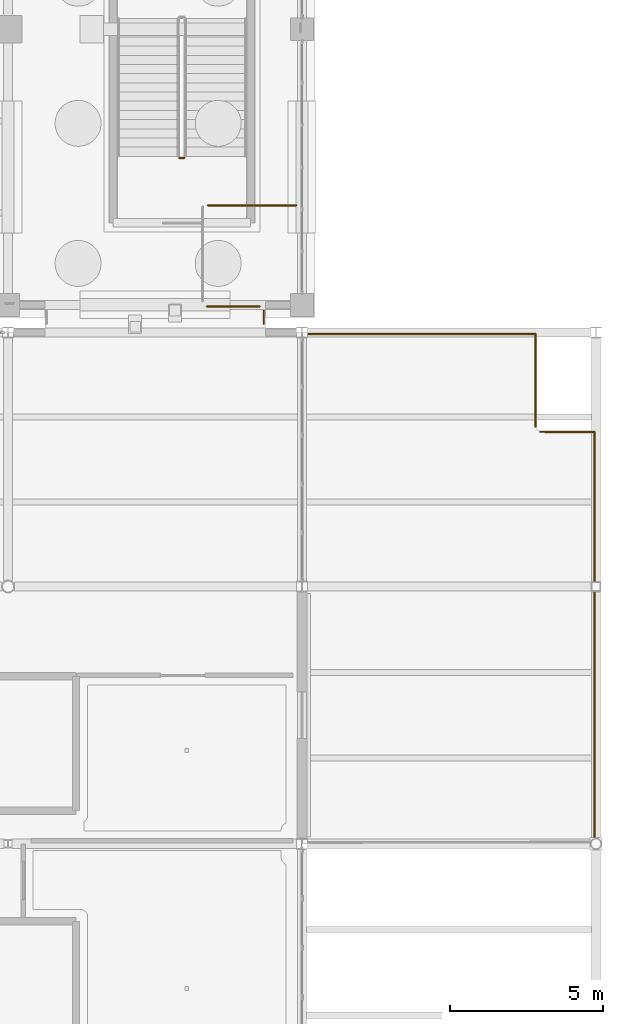
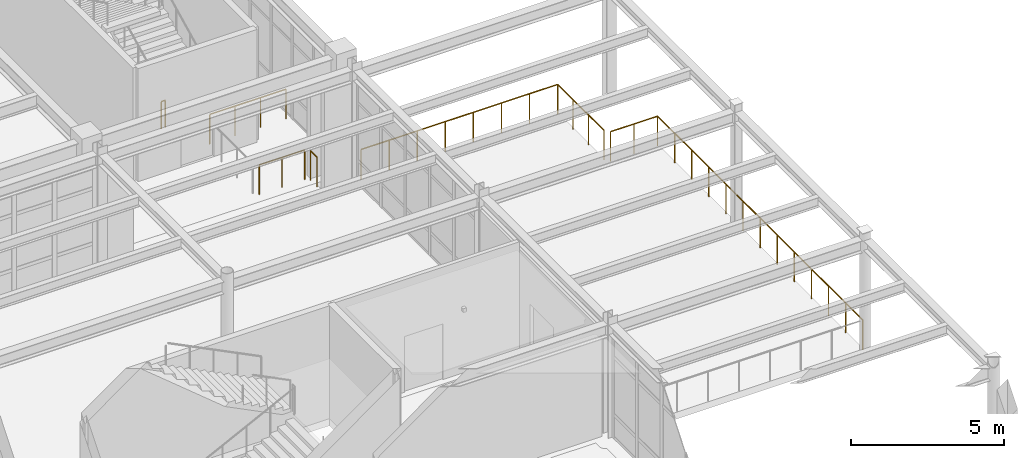
# One storey, part 129 of 139: 8 railings.
"""IFC4 building model written with IfcOpenShell, lengths in metres."""

from ifc_helpers import new_model, si_unit, direction, frame, origin, origin_2d, place, context, subcontext, project, spatial, circle, extrude, material, type_object, element, save


model = new_model("IFC4")

# Units and contexts
model_context = context("Model", 3, precision=1e-05, world=origin(), true_north=direction((0.0, 1.0)))
body_context = subcontext(model_context, "Body", "Model", "MODEL_VIEW")
ifc_project = project(units=[si_unit("LENGTHUNIT", "METRE"), si_unit("AREAUNIT", "SQUARE_METRE"), si_unit("VOLUMEUNIT", "CUBIC_METRE"), si_unit("PLANEANGLEUNIT", "RADIAN"), si_unit("MASSUNIT", "GRAM", prefix="KILO")], contexts=[model_context])

# Site, building, storey
site_placement = place(None, origin())
site = spatial("IfcSite", under=ifc_project, at=site_placement, CompositionType="ELEMENT")
building_placement = place(site_placement, origin())
building = spatial("IfcBuilding", under=site, at=building_placement, Name="Canglan Escarpment Cableway Terminal", CompositionType="ELEMENT")
storey_placement = place(building_placement, frame((0.0, 0.0, 14.39990234375)))
storey = spatial("IfcBuildingStorey", under=building, at=storey_placement, Name="L03", CompositionType="ELEMENT", Elevation=14.39990234375)

# Railings
ifc_material_1 = material(Name="Carved limestone and anodized bronze balustrade", Category="masonry")
railing_type_1 = type_object("IfcRailingType", Name="RL-EXT-BALUSTRADE-1200", PredefinedType="BALUSTRADE", material=ifc_material_1)
railing_1_placement = place(storey_placement, frame((166.2099609375, 37.25, 0.0)))
element("IfcRailing", 1, at=railing_1_placement, inside=storey, type_object=railing_type_1, Name="Classical terrace balustrade guard GD-01 (L03)", PredefinedType="BALUSTRADE", context=body_context, shape_type="SweptSolid", body=[
    extrude(circle(Radius=0.02392578125, at=origin_2d()), frame((0.0, 0.0, 1.17578125), z_axis=(-1.0, 0.0, 0.0), x_axis=(0.0, -1.0, 0.0)), (0.0, 0.0, 1.0), 2.8798828125),
    extrude(circle(Radius=0.02099609375, at=origin_2d()), origin(), (0.0, 0.0, 1.0), 1.15185546875),
    extrude(circle(Radius=0.02099609375, at=origin_2d()), frame((-0.9599609375, 0.0, 0.0)), (0.0, 0.0, 1.0), 1.15185546875),
    extrude(circle(Radius=0.02099609375, at=origin_2d()), frame((-1.919921875, 0.0, 0.0)), (0.0, 0.0, 1.0), 1.15185546875),
    extrude(circle(Radius=0.02099609375, at=origin_2d()), frame((-2.8798828125, 0.0, 0.0)), (0.0, 0.0, 1.0), 1.15185546875),
])
railing_2_placement = place(storey_placement, frame((163.29931640625, 33.951171875, 0.0)))
element("IfcRailing", 2, at=railing_2_placement, inside=storey, type_object=railing_type_1, Name="Classical terrace balustrade guard GD-01 (L03)", PredefinedType="BALUSTRADE", context=body_context, shape_type="SweptSolid", body=[
    extrude(circle(Radius=0.02392578125, at=origin_2d()), frame((0.0, 0.0, 1.17578125), z_axis=(0.999993637062, -0.003567328899, 0.0), x_axis=(0.003567328899, 0.999993637062, 0.0)), (0.0, 0.0, 1.0), 1.7109375),
    extrude(circle(Radius=0.02099609375, at=origin_2d()), origin(), (0.0, 0.0, 1.0), 1.15185546875),
    extrude(circle(Radius=0.02099609375, at=origin_2d()), frame((0.85546875, -0.0029296875, 0.0)), (0.0, 0.0, 1.0), 1.15185546875),
    extrude(circle(Radius=0.02099609375, at=origin_2d()), frame((1.7109375, -0.006103515625, 0.0)), (0.0, 0.0, 1.0), 1.15185546875),
])
railing_3_placement = place(storey_placement, frame((165.14990234375, 33.81005859375, 0.0)))
element("IfcRailing", 3, at=railing_3_placement, inside=storey, type_object=railing_type_1, Name="Classical terrace balustrade guard GD-01 (L03)", PredefinedType="BALUSTRADE", context=body_context, shape_type="SweptSolid", body=[
    extrude(circle(Radius=0.02392578125, at=origin_2d()), frame((0.0, 0.0, 1.17578125), z_axis=(0.0, -1.0, 0.0), x_axis=(1.0, 0.0, 0.0)), (0.0, 0.0, 1.0), 0.420166015625),
    extrude(circle(Radius=0.02099609375, at=origin_2d()), origin(), (0.0, 0.0, 1.0), 1.15185546875),
    extrude(circle(Radius=0.02099609375, at=origin_2d()), frame((0.0, -0.420166015625, 0.0)), (0.0, 0.0, 1.0), 1.15185546875),
])
railing_4_placement = place(storey_placement, frame((166.614013671875, 33.050048828125, 0.0)))
element("IfcRailing", 4, at=railing_4_placement, inside=storey, type_object=railing_type_1, Name="Classical terrace balustrade guard GD-01 (L03)", PredefinedType="BALUSTRADE", context=body_context, shape_type="SweptSolid", body=[
    extrude(circle(Radius=0.02392578125, at=origin_2d()), frame((0.0, 0.0, 1.17578125), z_axis=(1.0, 0.0, 0.0), x_axis=(0.0, 1.0, 0.0)), (0.0, 0.0, 1.0), 7.4140625),
    extrude(circle(Radius=0.02099609375, at=origin_2d()), origin(), (0.0, 0.0, 1.0), 1.15185546875),
    extrude(circle(Radius=0.02099609375, at=origin_2d()), frame((1.05908203125, 0.0, 0.0)), (0.0, 0.0, 1.0), 1.15185546875),
    extrude(circle(Radius=0.02099609375, at=origin_2d()), frame((2.118408203125, 0.0, 0.0)), (0.0, 0.0, 1.0), 1.15185546875),
    extrude(circle(Radius=0.02099609375, at=origin_2d()), frame((3.177490234375, 0.0, 0.0)), (0.0, 0.0, 1.0), 1.15185546875),
    extrude(circle(Radius=0.02099609375, at=origin_2d()), frame((4.236572265625, 0.0, 0.0)), (0.0, 0.0, 1.0), 1.15185546875),
    extrude(circle(Radius=0.02099609375, at=origin_2d()), frame((5.295654296875, 0.0, 0.0)), (0.0, 0.0, 1.0), 1.15185546875),
    extrude(circle(Radius=0.02099609375, at=origin_2d()), frame((6.35498046875, 0.0, 0.0)), (0.0, 0.0, 1.0), 1.15185546875),
    extrude(circle(Radius=0.02099609375, at=origin_2d()), frame((7.4140625, 0.0, 0.0)), (0.0, 0.0, 1.0), 1.15185546875),
])
railing_5_placement = place(storey_placement, frame((174.028076171875, 33.050048828125, 0.0)))
element("IfcRailing", 5, at=railing_5_placement, inside=storey, type_object=railing_type_1, Name="Classical terrace balustrade guard GD-01 (L03)", PredefinedType="BALUSTRADE", context=body_context, shape_type="SweptSolid", body=[
    extrude(circle(Radius=0.02392578125, at=origin_2d()), frame((0.0, 0.0, 1.17578125), z_axis=(0.000646725815, -0.999999790873, 0.0), x_axis=(0.999999790873, 0.000646725815, 0.0)), (0.0, 0.0, 1.0), 3.02001953125),
    extrude(circle(Radius=0.02099609375, at=origin_2d()), origin(), (0.0, 0.0, 1.0), 1.15185546875),
    extrude(circle(Radius=0.02099609375, at=origin_2d()), frame((0.000732421875, -1.006591796875, 0.0)), (0.0, 0.0, 1.0), 1.15185546875),
    extrude(circle(Radius=0.02099609375, at=origin_2d()), frame((0.001220703125, -2.013427734375, 0.0)), (0.0, 0.0, 1.0), 1.15185546875),
    extrude(circle(Radius=0.02099609375, at=origin_2d()), frame((0.001953125, -3.02001953125, 0.0)), (0.0, 0.0, 1.0), 1.15185546875),
])
railing_6_placement = place(storey_placement, frame((174.179443359375, 29.856201171875, 0.0)))
element("IfcRailing", 6, at=railing_6_placement, inside=storey, type_object=railing_type_1, Name="Classical terrace balustrade guard GD-01 (L03)", PredefinedType="BALUSTRADE", context=body_context, shape_type="SweptSolid", body=[
    extrude(circle(Radius=0.02392578125, at=origin_2d()), frame((0.0, 0.0, 1.17578125), z_axis=(0.999994044897, -0.003451111419, 0.0), x_axis=(0.003451111419, 0.999994044897, 0.0)), (0.0, 0.0, 1.0), 1.7685546875),
    extrude(circle(Radius=0.02099609375, at=origin_2d()), origin(), (0.0, 0.0, 1.0), 1.15185546875),
    extrude(circle(Radius=0.02099609375, at=origin_2d()), frame((0.88427734375, -0.0029296875, 0.0)), (0.0, 0.0, 1.0), 1.15185546875),
    extrude(circle(Radius=0.02099609375, at=origin_2d()), frame((1.7685546875, -0.006103515625, 0.0)), (0.0, 0.0, 1.0), 1.15185546875),
])
railing_7_placement = place(storey_placement, frame((175.947998046875, 29.85009765625, 0.0)))
element("IfcRailing", 7, at=railing_7_placement, inside=storey, type_object=railing_type_1, Name="Classical terrace balustrade guard GD-01 (L03)", PredefinedType="BALUSTRADE", context=body_context, shape_type="SweptSolid", body=[
    extrude(circle(Radius=0.02392578125, at=origin_2d()), frame((0.0, 0.0, 1.17578125), z_axis=(0.000145775249, -0.999999989375, 0.0), x_axis=(0.999999989375, 0.000145775249, 0.0)), (0.0, 0.0, 1.0), 13.398193359375),
    extrude(circle(Radius=0.02099609375, at=origin_2d()), origin(), (0.0, 0.0, 1.0), 1.15185546875),
    extrude(circle(Radius=0.02099609375, at=origin_2d()), frame((0.000244140625, -1.116455078125, 0.0)), (0.0, 0.0, 1.0), 1.15185546875),
    extrude(circle(Radius=0.02099609375, at=origin_2d()), frame((0.000244140625, -2.23291015625, 0.0)), (0.0, 0.0, 1.0), 1.15185546875),
    extrude(circle(Radius=0.02099609375, at=origin_2d()), frame((0.00048828125, -3.349609375, 0.0)), (0.0, 0.0, 1.0), 1.15185546875),
    extrude(circle(Radius=0.02099609375, at=origin_2d()), frame((0.000732421875, -4.466064453125, 0.0)), (0.0, 0.0, 1.0), 1.15185546875),
    extrude(circle(Radius=0.02099609375, at=origin_2d()), frame((0.000732421875, -5.58251953125, 0.0)), (0.0, 0.0, 1.0), 1.15185546875),
    extrude(circle(Radius=0.02099609375, at=origin_2d()), frame((0.0009765625, -6.69921875, 0.0)), (0.0, 0.0, 1.0), 1.15185546875),
    extrude(circle(Radius=0.02099609375, at=origin_2d()), frame((0.001220703125, -7.815673828125, 0.0)), (0.0, 0.0, 1.0), 1.15185546875),
    extrude(circle(Radius=0.02099609375, at=origin_2d()), frame((0.001220703125, -8.93212890625, 0.0)), (0.0, 0.0, 1.0), 1.15185546875),
    extrude(circle(Radius=0.02099609375, at=origin_2d()), frame((0.00146484375, -10.048583984375, 0.0)), (0.0, 0.0, 1.0), 1.15185546875),
    extrude(circle(Radius=0.02099609375, at=origin_2d()), frame((0.001708984375, -11.1650390625, 0.0)), (0.0, 0.0, 1.0), 1.15185546875),
    extrude(circle(Radius=0.02099609375, at=origin_2d()), frame((0.001708984375, -12.28173828125, 0.0)), (0.0, 0.0, 1.0), 1.15185546875),
    extrude(circle(Radius=0.02099609375, at=origin_2d()), frame((0.001953125, -13.398193359375, 0.0)), (0.0, 0.0, 1.0), 1.15185546875),
])
ifc_material_2 = material(Name="Powder-coated steel stair balustrade", Category="steel")
railing_type_2 = type_object("IfcRailingType", Name="RL-STR-GUARD-1100", PredefinedType="BALUSTRADE", material=ifc_material_2)
railing_8_placement = place(storey_placement, frame((162.550048828125, 38.800048828125, 0.0)))
element("IfcRailing", 8, at=railing_8_placement, inside=storey, type_object=railing_type_2, Name="L03 ST-15 stair guard 4", PredefinedType="BALUSTRADE", context=body_context, shape_type="SweptSolid", body=[
    extrude(circle(Radius=0.02392578125, at=origin_2d()), frame((0.0, 0.0, 1.076171875), z_axis=(-1.0, 0.0, 0.0), x_axis=(0.0, -1.0, 0.0)), (0.0, 0.0, 1.0), 0.150146484375),
    extrude(circle(Radius=0.02099609375, at=origin_2d()), origin(), (0.0, 0.0, 1.0), 1.052001953125),
    extrude(circle(Radius=0.02099609375, at=origin_2d()), frame((-0.150146484375, 0.0, 0.0)), (0.0, 0.0, 1.0), 1.052001953125),
])

save(model, "model.ifc")
